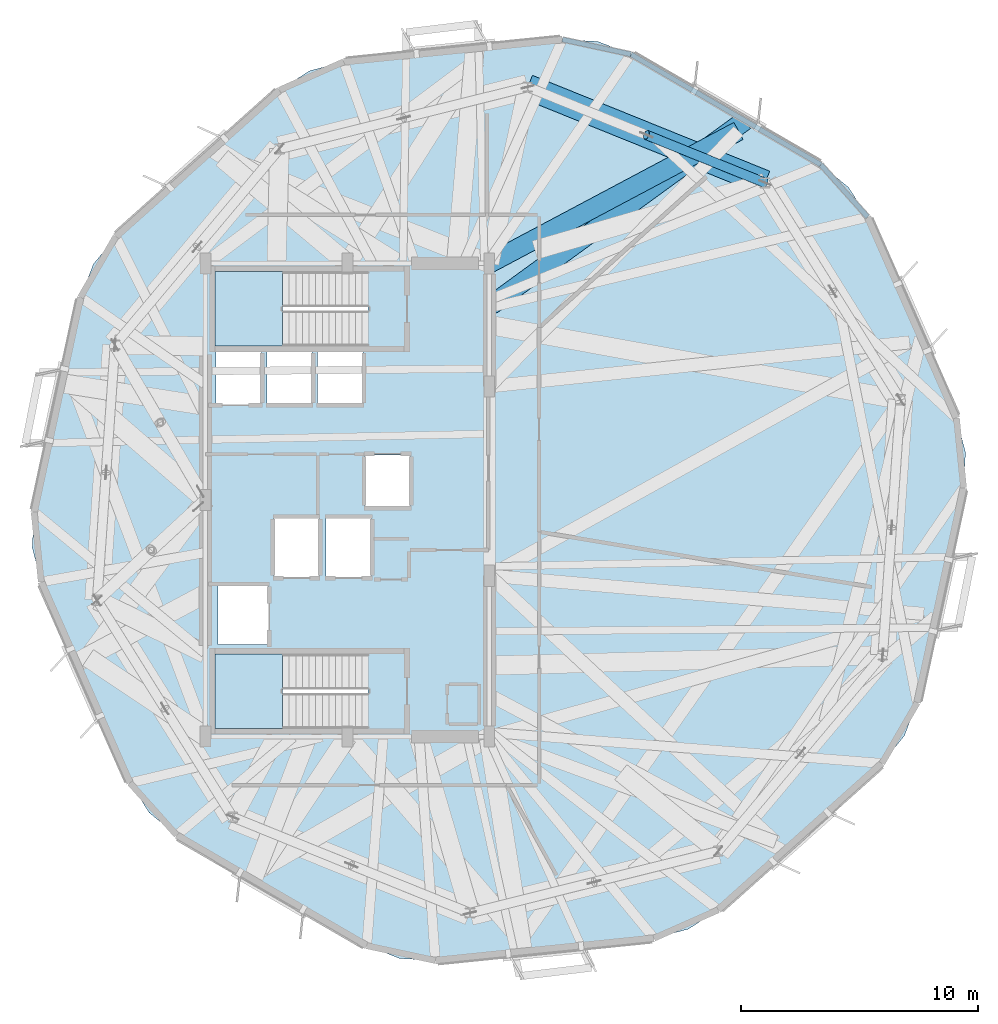
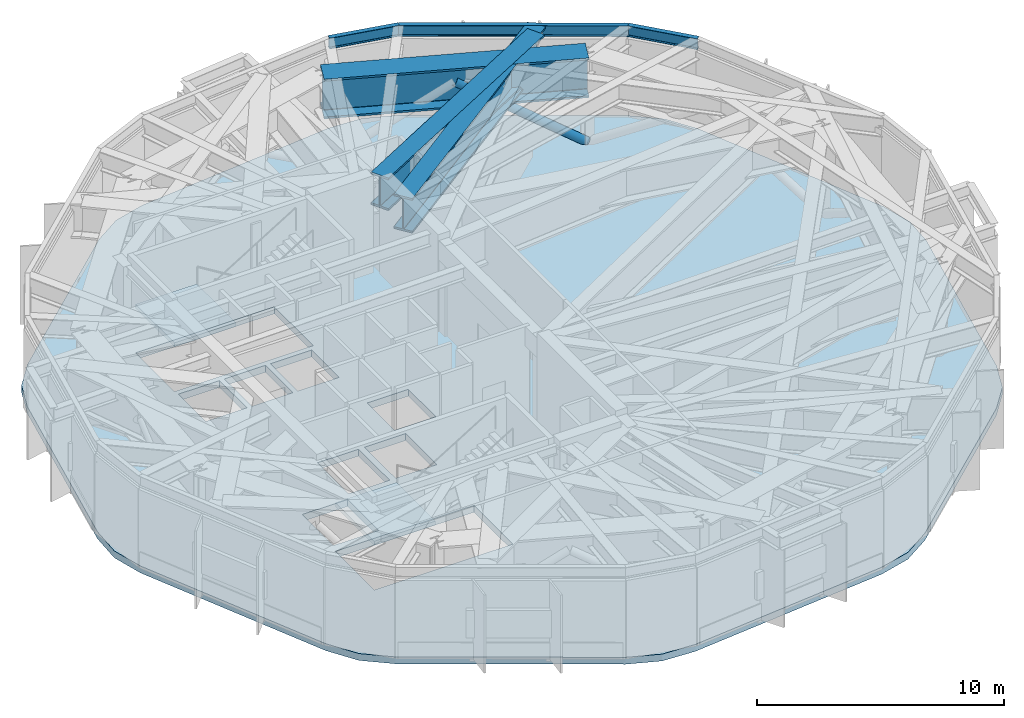
# One storey, part 5 of 14: 6 beams, 3 slabs, 1 member, 2 elements without a shape of their own.
"""IFC4 building model written with IfcOpenShell, lengths in metres."""

from ifc_helpers import new_model, si_unit, direction, frame, origin, origin_2d, place, context, subcontext, project, spatial, polyline, hollow_circle, i_section, outline, extrude, material, layer, layer_set, material_profile, profile_set, type_object, element, aggregate, save


model = new_model("IFC4")

# Units and contexts
model_context = context("Model", 3, precision=1e-05, world=origin(), true_north=direction((0.0, 1.0)))
body_context = subcontext(model_context, "Body", "Model", "MODEL_VIEW")
ifc_project = project(units=[si_unit("LENGTHUNIT", "METRE"), si_unit("AREAUNIT", "SQUARE_METRE"), si_unit("VOLUMEUNIT", "CUBIC_METRE"), si_unit("PLANEANGLEUNIT", "RADIAN"), si_unit("MASSUNIT", "GRAM", prefix="KILO")], contexts=[model_context])

# Site, building, storey
site_placement = place(None, origin())
site = spatial("IfcSite", under=ifc_project, at=site_placement, CompositionType="ELEMENT")
building_placement = place(site_placement, origin())
building = spatial("IfcBuilding", under=site, at=building_placement, Name="Soratama Intermodal Tower", CompositionType="ELEMENT")
storey_placement = place(building_placement, frame((0.0, 0.0, 185.800048828125)))
storey = spatial("IfcBuildingStorey", under=building, at=storey_placement, Name="L46", CompositionType="ELEMENT", Elevation=185.800048828125)

# Beams
ifc_material_1 = material(Name="Structural steel ASTM A992 Grade 50", Category="steel")
ifc_material_profile_1 = material_profile(ifc_material_1, i_section(OverallWidth=0.2099609375, OverallDepth=0.537109375, WebThickness=0.010986328125, FlangeThickness=0.017333984375, FilletRadius=0.012939453125, at=origin_2d()), Name="W21X68")
ifc_profile_set_1 = profile_set([ifc_material_profile_1], Name="Structural steel ASTM A992 Grade 50")
beam_type_1 = type_object("IfcBeamType", Name="BM-SPN-W21X68", PredefinedType="SPANDREL", material=ifc_profile_set_1)
beam_1_placement = place(storey_placement, frame((58.612060546875, 39.1689453125, 4.2314453125), z_axis=(-0.864438907702, 0.50273787887, 0.0), x_axis=(-0.50273787887, -0.864438907702, 0.0)))
element("IfcBeam", 1, at=beam_1_placement, inside=storey, type_object=beam_type_1, Name="BS-L46-F01", PredefinedType="SPANDREL", context=body_context, shape_type="SweptSolid", body=[
    extrude(i_section(OverallWidth=0.2099609375, OverallDepth=0.537109375, WebThickness=0.010986328125, FlangeThickness=0.017333984375, FilletRadius=0.012939453125, at=origin_2d()), origin(), (0.0, 0.0, 1.0), 9.287109375),
])
beam_2_placement = place(storey_placement, frame((50.583984375, 43.837890625, 4.2314453125), z_axis=(-0.977468802894, 0.211079935968, 0.0), x_axis=(-0.211079935968, -0.977468802894, 0.0)))
element("IfcBeam", 2, at=beam_2_placement, inside=storey, type_object=beam_type_1, Name="BS-L46-CRN01", PredefinedType="SPANDREL", context=body_context, shape_type="SweptSolid", body=[
    extrude(i_section(OverallWidth=0.2099609375, OverallDepth=0.537109375, WebThickness=0.010986328125, FlangeThickness=0.017333984375, FilletRadius=0.012939453125, at=origin_2d()), origin(), (0.0, 0.0, 1.0), 2.966796875),
])
beam_3_placement = place(storey_placement, frame((60.590087890625, 36.9580078125, 4.2314453125), z_axis=(-0.666761180785, 0.745271445715, 0.0), x_axis=(-0.745271445715, -0.666761180785, 0.0)))
element("IfcBeam", 3, at=beam_3_placement, inside=storey, type_object=beam_type_1, Name="BS-L46-CRN10", PredefinedType="SPANDREL", context=body_context, shape_type="SweptSolid", body=[
    extrude(i_section(OverallWidth=0.2099609375, OverallDepth=0.537109375, WebThickness=0.010986328125, FlangeThickness=0.017333984375, FilletRadius=0.012939453125, at=origin_2d()), origin(), (0.0, 0.0, 1.0), 2.966552734375),
])
ifc_material_2 = material(Name="Structural steel ASTM A992 Grade 50", Category="steel")
ifc_material_profile_2 = material_profile(ifc_material_2, i_section(OverallWidth=0.820068359375, OverallDepth=1.699951171875, WebThickness=0.053955078125, FlangeThickness=0.087890625, FilletRadius=0.02392578125, at=origin_2d()), Name="PG1580X800")
ifc_profile_set_2 = profile_set([ifc_material_profile_2], Name="Structural steel ASTM A992 Grade 50")
beam_type_2 = type_object("IfcBeamType", Name="BM-ZSTEP-PG1580", PredefinedType="BEAM", material=ifc_profile_set_2)
beam_4_placement = place(storey_placement, frame((44.6689453125, 33.22998046875, 3.64990234375), z_axis=(0.808610359902, 0.588344529896, 0.0), x_axis=(-0.588344529896, 0.808610359902, 0.0)))
element("IfcBeam", 4, at=beam_4_placement, inside=storey, type_object=beam_type_2, Name="BM-L46-ZCHORD-02", PredefinedType="BEAM", context=body_context, shape_type="SweptSolid", body=[
    extrude(i_section(OverallWidth=0.820068359375, OverallDepth=1.699951171875, WebThickness=0.053955078125, FlangeThickness=0.087890625, FilletRadius=0.02392578125, at=origin_2d()), origin(), (0.0, 0.0, 1.0), 13.269775390625),
])
ifc_material_3 = material(Name="Structural steel ASTM A992 Grade 50", Category="steel")
ifc_material_profile_3 = material_profile(ifc_material_3, i_section(OverallWidth=0.820068359375, OverallDepth=1.60205078125, WebThickness=0.055908203125, FlangeThickness=0.092041015625, FilletRadius=0.02392578125, at=origin_2d()), Name="PG1600X650")
ifc_profile_set_3 = profile_set([ifc_material_profile_3], Name="Structural steel ASTM A992 Grade 50")
beam_type_3 = type_object("IfcBeamType", Name="BM-ZSTEP-PG1600", PredefinedType="BEAM", material=ifc_profile_set_3)
beam_5_placement = place(storey_placement, frame((44.60009765625, 35.0, 3.698974609375), z_axis=(0.882935948236, 0.469493462482, 0.0), x_axis=(-0.469493462482, 0.882935948236, 0.0)))
element("IfcBeam", 5, at=beam_5_placement, inside=storey, type_object=beam_type_3, Name="BM-L46-ZSTEP-A02", PredefinedType="BEAM", context=body_context, shape_type="SweptSolid", body=[
    extrude(i_section(OverallWidth=0.820068359375, OverallDepth=1.60205078125, WebThickness=0.055908203125, FlangeThickness=0.092041015625, FilletRadius=0.02392578125, at=origin_2d()), origin(), (0.0, 0.0, 1.0), 11.92578125),
])
ifc_material_4 = material(Name="Structural steel ASTM A992 Grade 50", Category="steel")
ifc_material_profile_4 = material_profile(ifc_material_4, i_section(OverallWidth=1.06005859375, OverallDepth=1.9599609375, WebThickness=0.05810546875, FlangeThickness=0.095947265625, FilletRadius=0.02392578125, at=origin_2d()), Name="PG2400X900")
ifc_profile_set_4 = profile_set([ifc_material_profile_4], Name="Structural steel ASTM A992 Grade 50")
beam_type_4 = type_object("IfcBeamType", Name="BM-ZSTEP-PG2400", PredefinedType="BEAM", material=ifc_profile_set_4)
beam_6_placement = place(storey_placement, frame((56.2490234375, 38.406005859375, 3.52001953125), z_axis=(-0.927202491827, 0.374560461275, 0.0), x_axis=(-0.374560461275, -0.927202491827, 0.0)))
element("IfcBeam", 6, at=beam_6_placement, inside=storey, type_object=beam_type_4, Name="BM-L46-RING-02", PredefinedType="BEAM", context=body_context, shape_type="SweptSolid", body=[
    extrude(i_section(OverallWidth=1.06005859375, OverallDepth=1.9599609375, WebThickness=0.05810546875, FlangeThickness=0.095947265625, FilletRadius=0.02392578125, at=origin_2d()), origin(), (0.0, 0.0, 1.0), 10.8154296875),
])

# Member
ifc_material_5 = material(Name="Structural steel ASTM A500 Grade C", Category="steel")
ifc_material_profile_5 = material_profile(ifc_material_5, hollow_circle(Radius=0.203125, WallThickness=0.01611328125, at=origin_2d()), Name="CHS406X16")
ifc_profile_set_5 = profile_set([ifc_material_profile_5], Name="Structural steel ASTM A500 Grade C")
member_type = type_object("IfcMemberType", Name="MB-BLT-CHS406", PredefinedType="BRACE", material=ifc_profile_set_5)
member_placement = place(storey_placement, frame((56.248779296875, 38.40576171875, 0.010009765625), z_axis=(-0.777713994893, 0.31423629204, 0.544441452236), x_axis=(-0.374626518988, -0.927175803864, 0.0)))
element("IfcMember", 7, at=member_placement, inside=storey, type_object=member_type, Name="L46 Belt Truss Brace A 02", PredefinedType="BRACE", context=body_context, shape_type="SweptSolid", body=[
    extrude(hollow_circle(Radius=0.203125, WallThickness=0.01611328125, at=origin_2d()), origin(), (0.0, 0.0, 1.0), 6.447021484375),
])

# Stair, slab
ifc_material_6 = material(Name="Concrete f'c 42 MPa", Category="concrete")
stair_type = type_object("IfcStairType", Name="ST-CORE-DOGLEG", PredefinedType="HALF_TURN_STAIR", material=ifc_material_6)
stair_1_placement = place(storey_placement, origin())
stair_1 = element("IfcStair", 8, at=stair_1_placement, inside=storey, type_object=stair_type, Name="L46 ST-1", PredefinedType="HALF_TURN_STAIR")
ifc_material_7 = material(Name="Concrete f'c 42 MPa", Category="concrete")
ifc_layer_1 = layer(ifc_material_7, 0.219970703125)
ifc_layer_set_1 = layer_set([ifc_layer_1], Name="Concrete f'c 42 MPa")
slab_type_1 = type_object("IfcSlabType", Name="SL-STAIR-LAND", PredefinedType="LANDING", material=ifc_layer_set_1)
slab_1_placement = place(storey_placement, frame((0.0, 0.0, 2.199951171875)))
slab_1 = element("IfcSlab", 9, at=slab_1_placement, type_object=slab_type_1, Name="ST-1 landing 1", PredefinedType="LANDING", context=body_context, shape_type="SweptSolid", body=[
    extrude(outline(polyline([(35.860107421875, 18.5), (33.0, 18.5), (33.0, 15.35009765625), (35.860107421875, 15.35009765625), (35.860107421875, 18.5)])), origin(), (0.0, 0.0, 1.0), 0.199951171875),
])
aggregate(stair_1, [slab_1])

stair_2_placement = place(storey_placement, origin())
stair_2 = element("IfcStair", 10, at=stair_2_placement, inside=storey, type_object=stair_type, Name="L46 ST-2", PredefinedType="HALF_TURN_STAIR")
slab_2_placement = place(storey_placement, frame((0.0, 0.0, 2.199951171875)))
slab_2 = element("IfcSlab", 11, at=slab_2_placement, type_object=slab_type_1, Name="ST-2 landing 1", PredefinedType="LANDING", context=body_context, shape_type="SweptSolid", body=[
    extrude(outline(polyline([(35.860107421875, 34.64990234375), (33.0, 34.64990234375), (33.0, 31.5), (35.860107421875, 31.5), (35.860107421875, 34.64990234375)])), origin(), (0.0, 0.0, 1.0), 0.199951171875),
])
aggregate(stair_2, [slab_2])

# Slab
ifc_material_8 = material(Name="Concrete f'c 42 MPa", Category="concrete")
ifc_layer_2 = layer(ifc_material_8, 0.340087890625)
ifc_layer_set_2 = layer_set([ifc_layer_2], Name="Concrete f'c 42 MPa")
slab_type_2 = type_object("IfcSlabType", Name="SL-TRN-340", PredefinedType="FLOOR", material=ifc_layer_set_2)
slab_3_placement = place(storey_placement, frame((0.0, 0.0, -0.340087890625)))
element("IfcSlab", 12, at=slab_3_placement, inside=storey, type_object=slab_type_2, Name="L46 Structural Floor Slab", PredefinedType="FLOOR", context=body_context, shape_type="SweptSolid", body=[
    extrude(outline(polyline([(60.58984375, 36.95849609375), (59.77587890625, 38.220458984375), (58.61181640625, 39.169189453125), (50.58349609375, 43.838134765625), (49.18310546875, 44.380615234375), (47.68359375, 44.464111328125), (38.4443359375, 43.522216796875), (36.99267578125, 43.13818359375), (35.73046875, 42.32421875), (28.809326171875, 36.131591796875), (27.860595703125, 34.96728515625), (27.318115234375, 33.567138671875), (25.3583984375, 24.489013671875), (25.275146484375, 22.989501953125), (25.6591796875, 21.53759765625), (29.41015625, 13.04150390625), (30.22412109375, 11.779541015625), (31.38818359375, 10.830810546875), (39.41650390625, 6.161865234375), (40.81689453125, 5.619384765625), (42.31640625, 5.535888671875), (51.5556640625, 6.477783203125), (53.00732421875, 6.86181640625), (54.26953125, 7.67578125), (61.190673828125, 13.868408203125), (62.139404296875, 15.03271484375), (62.681884765625, 16.432861328125), (64.6416015625, 25.510986328125), (64.724853515625, 27.010498046875), (64.3408203125, 28.46240234375), (60.58984375, 36.95849609375)]), holes=[polyline([(33.0, 18.5), (33.0, 15.35009765625), (39.47509765625, 15.35009765625), (39.47509765625, 18.5), (33.0, 18.5)]), polyline([(35.260009765625, 21.409912109375), (33.139892578125, 21.409912109375), (33.139892578125, 18.889892578125), (35.260009765625, 18.889892578125), (35.260009765625, 21.409912109375)]), polyline([(37.409912109375, 24.260009765625), (35.489990234375, 24.260009765625), (35.489990234375, 21.739990234375), (37.409912109375, 21.739990234375), (37.409912109375, 24.260009765625)]), polyline([(39.610107421875, 24.260009765625), (37.68994140625, 24.260009765625), (37.68994140625, 21.739990234375), (39.610107421875, 21.739990234375), (39.610107421875, 24.260009765625)]), polyline([(41.260009765625, 26.909912109375), (39.340087890625, 26.909912109375), (39.340087890625, 24.68994140625), (41.260009765625, 24.68994140625), (41.260009765625, 26.909912109375)]), polyline([(34.9599609375, 31.260009765625), (33.0400390625, 31.260009765625), (33.0400390625, 29.0400390625), (34.9599609375, 29.0400390625), (34.9599609375, 31.260009765625)]), polyline([(37.110107421875, 31.260009765625), (35.18994140625, 31.260009765625), (35.18994140625, 29.0400390625), (37.110107421875, 29.0400390625), (37.110107421875, 31.260009765625)]), polyline([(39.260009765625, 29.0400390625), (39.260009765625, 31.260009765625), (37.340087890625, 31.260009765625), (37.340087890625, 29.0400390625), (39.260009765625, 29.0400390625)]), polyline([(39.47509765625, 34.64990234375), (33.0, 34.64990234375), (33.0, 31.5), (39.47509765625, 31.5), (39.47509765625, 34.64990234375)])]), origin(), (0.0, 0.0, 1.0), 0.340087890625),
])

save(model, "model.ifc")
